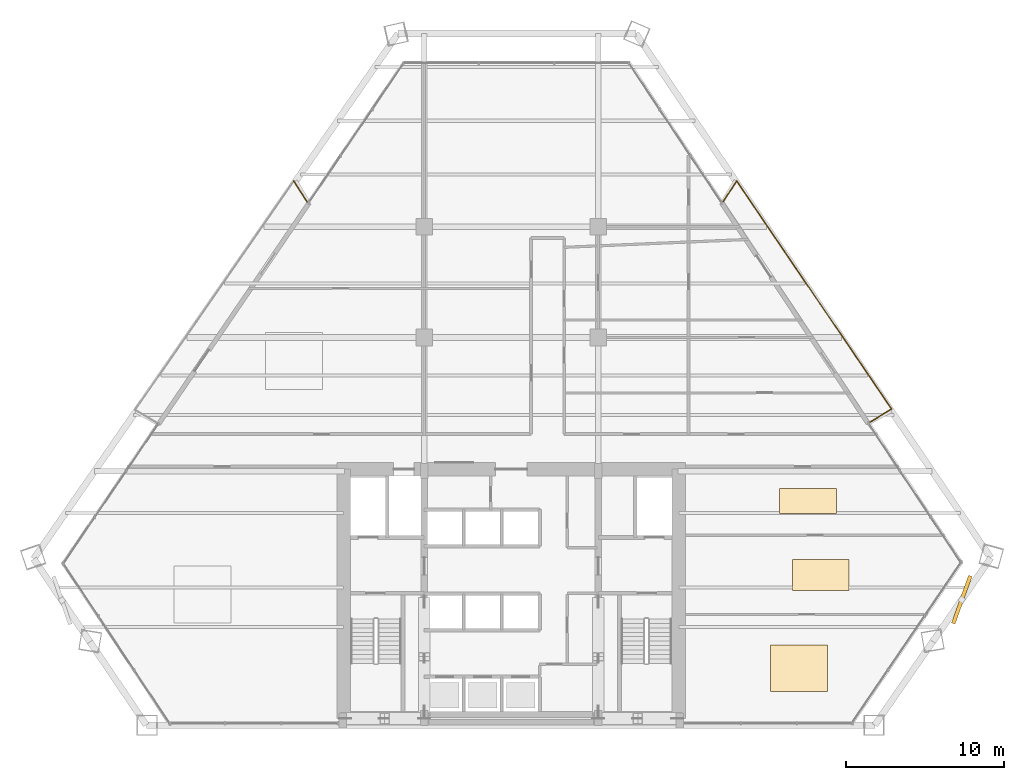
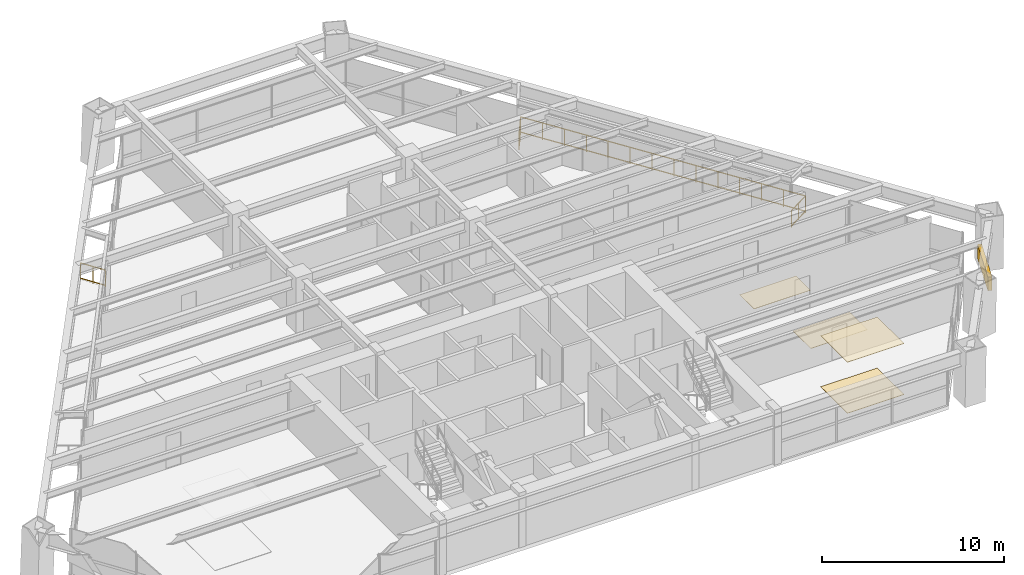
# One storey, part 14 of 15: 4 coverings, 4 railings, 1 shading device.
"""IFC4 building model written with IfcOpenShell, lengths in metres."""

from ifc_helpers import new_model, si_unit, direction, frame, origin, origin_2d, place, context, subcontext, project, spatial, rectangle, extrude, source, transform, mapped, material, layer, layer_set, type_object, type_shapes, element, save


model = new_model("IFC4")

# Units and contexts
model_context = context("Model", 3, precision=1e-05, world=origin(), true_north=direction((0.0, 1.0)))
body_context = subcontext(model_context, "Body", "Model", "MODEL_VIEW")
ifc_project = project(units=[si_unit("LENGTHUNIT", "METRE"), si_unit("AREAUNIT", "SQUARE_METRE"), si_unit("VOLUMEUNIT", "CUBIC_METRE"), si_unit("PLANEANGLEUNIT", "RADIAN"), si_unit("MASSUNIT", "GRAM", prefix="KILO")], contexts=[model_context])

# Site, building, storey
site_placement = place(None, origin())
site = spatial("IfcSite", under=ifc_project, at=site_placement, CompositionType="ELEMENT")
building_placement = place(site_placement, origin())
building = spatial("IfcBuilding", under=site, at=building_placement, Name="Varnakhor Terracotta Tower", CompositionType="ELEMENT")
storey_placement = place(building_placement, frame((0.0, 0.0, 57.10009765625)))
storey = spatial("IfcBuildingStorey", under=building, at=storey_placement, Name="L13", CompositionType="ELEMENT", Elevation=57.10009765625)

# Railings
ifc_material_1 = material(Name="Stainless Steel & Laminated Glass Guardrail", Category="steel")
railing_type = type_object("IfcRailingType", Name="RLG-LOGGIA-GUARD-1150", PredefinedType="GUARDRAIL", material=ifc_material_1)
railing_1_placement = place(storey_placement, frame((13.40234375, 33.093017578125, 0.0)))
element("IfcRailing", 1, at=railing_1_placement, inside=storey, type_object=railing_type, Name="L13 E Loggia Glass Guard 1", PredefinedType="GUARDRAIL", context=body_context, shape_type="SweptSolid", body=[
    extrude(rectangle(XDim=0.048095703125, YDim=0.048095703125, at=origin_2d()), frame((0.0, 0.0, 1.1259765625), z_axis=(0.545729740606, 0.837961246251, 0.0), x_axis=(-0.837961246251, 0.545729740606, 0.0)), (0.0, 0.0, 1.0), 1.550537109375),
    extrude(rectangle(XDim=0.048095703125, YDim=0.048095703125, at=origin_2d()), frame((0.0, 0.0, 0.10009765625), z_axis=(0.545729740606, 0.837961246251, 0.0), x_axis=(-0.837961246251, 0.545729740606, 0.0)), (0.0, 0.0, 1.0), 1.550537109375),
    extrude(rectangle(XDim=0.0419921875, YDim=0.0419921875, at=origin_2d()), origin(), (0.0, 0.0, 1.0), 1.101806640625),
    extrude(rectangle(XDim=0.0419921875, YDim=0.0419921875, at=origin_2d()), frame((0.423095703125, 0.649658203125, 0.0)), (0.0, 0.0, 1.0), 1.101806640625),
    extrude(rectangle(XDim=0.0419921875, YDim=0.0419921875, at=origin_2d()), frame((0.84619140625, 1.29931640625, 0.0)), (0.0, 0.0, 1.0), 1.101806640625),
])
railing_2_placement = place(storey_placement, frame((14.24853515625, 34.392333984375, 0.0)))
element("IfcRailing", 2, at=railing_2_placement, inside=storey, type_object=railing_type, Name="L13 E Loggia Glass Guard 2", PredefinedType="GUARDRAIL", context=body_context, shape_type="SweptSolid", body=[
    extrude(rectangle(XDim=0.048095703125, YDim=0.048095703125, at=origin_2d()), frame((0.0, 0.0, 1.1259765625), z_axis=(0.561707347834, -0.827335999089, 0.0), x_axis=(0.827335999089, 0.561707347834, 0.0)), (0.0, 0.0, 1.0), 17.422607421875),
    extrude(rectangle(XDim=0.048095703125, YDim=0.048095703125, at=origin_2d()), frame((0.0, 0.0, 0.10009765625), z_axis=(0.561707347834, -0.827335999089, 0.0), x_axis=(0.827335999089, 0.561707347834, 0.0)), (0.0, 0.0, 1.0), 17.422607421875),
    extrude(rectangle(XDim=0.0419921875, YDim=0.0419921875, at=origin_2d()), origin(), (0.0, 0.0, 1.0), 1.101806640625),
    extrude(rectangle(XDim=0.0419921875, YDim=0.0419921875, at=origin_2d()), frame((0.752685546875, -1.10888671875, 0.0)), (0.0, 0.0, 1.0), 1.101806640625),
    extrude(rectangle(XDim=0.0419921875, YDim=0.0419921875, at=origin_2d()), frame((1.505615234375, -2.217529296875, 0.0)), (0.0, 0.0, 1.0), 1.101806640625),
    extrude(rectangle(XDim=0.0419921875, YDim=0.0419921875, at=origin_2d()), frame((2.25830078125, -3.326416015625, 0.0)), (0.0, 0.0, 1.0), 1.101806640625),
    extrude(rectangle(XDim=0.0419921875, YDim=0.0419921875, at=origin_2d()), frame((3.01123046875, -4.43505859375, 0.0)), (0.0, 0.0, 1.0), 1.101806640625),
    extrude(rectangle(XDim=0.0419921875, YDim=0.0419921875, at=origin_2d()), frame((3.763916015625, -5.5439453125, 0.0)), (0.0, 0.0, 1.0), 1.101806640625),
    extrude(rectangle(XDim=0.0419921875, YDim=0.0419921875, at=origin_2d()), frame((4.516845703125, -6.65283203125, 0.0)), (0.0, 0.0, 1.0), 1.101806640625),
    extrude(rectangle(XDim=0.0419921875, YDim=0.0419921875, at=origin_2d()), frame((5.26953125, -7.761474609375, 0.0)), (0.0, 0.0, 1.0), 1.101806640625),
    extrude(rectangle(XDim=0.0419921875, YDim=0.0419921875, at=origin_2d()), frame((6.0224609375, -8.870361328125, 0.0)), (0.0, 0.0, 1.0), 1.101806640625),
    extrude(rectangle(XDim=0.0419921875, YDim=0.0419921875, at=origin_2d()), frame((6.775146484375, -9.979248046875, 0.0)), (0.0, 0.0, 1.0), 1.101806640625),
    extrude(rectangle(XDim=0.0419921875, YDim=0.0419921875, at=origin_2d()), frame((7.528076171875, -11.087890625, 0.0)), (0.0, 0.0, 1.0), 1.101806640625),
    extrude(rectangle(XDim=0.0419921875, YDim=0.0419921875, at=origin_2d()), frame((8.28076171875, -12.19677734375, 0.0)), (0.0, 0.0, 1.0), 1.101806640625),
    extrude(rectangle(XDim=0.0419921875, YDim=0.0419921875, at=origin_2d()), frame((9.03369140625, -13.305419921875, 0.0)), (0.0, 0.0, 1.0), 1.101806640625),
    extrude(rectangle(XDim=0.0419921875, YDim=0.0419921875, at=origin_2d()), frame((9.786376953125, -14.414306640625, 0.0)), (0.0, 0.0, 1.0), 1.101806640625),
])
railing_3_placement = place(storey_placement, frame((24.034912109375, 19.97802734375, 0.0)))
element("IfcRailing", 3, at=railing_3_placement, inside=storey, type_object=railing_type, Name="L13 E Loggia Glass Guard 3", PredefinedType="GUARDRAIL", context=body_context, shape_type="SweptSolid", body=[
    extrude(rectangle(XDim=0.048095703125, YDim=0.048095703125, at=origin_2d()), frame((0.0, 0.0, 1.1259765625), z_axis=(-0.854287266278, -0.519801179948, 0.0), x_axis=(0.519801179948, -0.854287266278, 0.0)), (0.0, 0.0, 1.0), 1.593994140625),
    extrude(rectangle(XDim=0.048095703125, YDim=0.048095703125, at=origin_2d()), frame((0.0, 0.0, 0.10009765625), z_axis=(-0.854287266278, -0.519801179948, 0.0), x_axis=(0.519801179948, -0.854287266278, 0.0)), (0.0, 0.0, 1.0), 1.593994140625),
    extrude(rectangle(XDim=0.0419921875, YDim=0.0419921875, at=origin_2d()), origin(), (0.0, 0.0, 1.0), 1.101806640625),
    extrude(rectangle(XDim=0.0419921875, YDim=0.0419921875, at=origin_2d()), frame((-0.680908203125, -0.414306640625, 0.0)), (0.0, 0.0, 1.0), 1.101806640625),
    extrude(rectangle(XDim=0.0419921875, YDim=0.0419921875, at=origin_2d()), frame((-1.36181640625, -0.82861328125, 0.0)), (0.0, 0.0, 1.0), 1.101806640625),
])
railing_4_placement = place(storey_placement, frame((-13.745361328125, 34.377197265625, 0.0)))
element("IfcRailing", 4, at=railing_4_placement, inside=storey, type_object=railing_type, Name="L13 W Loggia Glass Guard 3", PredefinedType="GUARDRAIL", context=body_context, shape_type="SweptSolid", body=[
    extrude(rectangle(XDim=0.048095703125, YDim=0.048095703125, at=origin_2d()), frame((0.0, 0.0, 1.1259765625), z_axis=(0.546282183042, -0.837601203731, 0.0), x_axis=(0.837601203731, 0.546282183042, 0.0)), (0.0, 0.0, 1.0), 1.55126953125),
    extrude(rectangle(XDim=0.048095703125, YDim=0.048095703125, at=origin_2d()), frame((0.0, 0.0, 0.10009765625), z_axis=(0.546282183042, -0.837601203731, 0.0), x_axis=(0.837601203731, 0.546282183042, 0.0)), (0.0, 0.0, 1.0), 1.55126953125),
    extrude(rectangle(XDim=0.0419921875, YDim=0.0419921875, at=origin_2d()), origin(), (0.0, 0.0, 1.0), 1.101806640625),
    extrude(rectangle(XDim=0.0419921875, YDim=0.0419921875, at=origin_2d()), frame((0.423828125, -0.649658203125, 0.0)), (0.0, 0.0, 1.0), 1.101806640625),
    extrude(rectangle(XDim=0.0419921875, YDim=0.0419921875, at=origin_2d()), frame((0.847412109375, -1.29931640625, 0.0)), (0.0, 0.0, 1.0), 1.101806640625),
])

# Shading device
ifc_material_2 = material(Name="Extruded Architectural Terracotta Screen", Category="masonry")
shading_device_type = type_object("IfcShadingDeviceType", Name="TERRACOTTA SOLAR SCREEN E", PredefinedType="USERDEFINED", material=ifc_material_2)
shared_shape_1 = source(origin(), body_context, "Body", "SweptSolid", [
    extrude(rectangle(XDim=3.199951171875, YDim=0.239990234375, at=origin_2d()), origin(), (0.0, 0.0, 1.0), 0.919921875),
])
type_shapes(shading_device_type, [shared_shape_1])
shading_device_placement = place(storey_placement, frame((28.476318359375, 7.930419921875, 1.617919921875), z_axis=(0.0, 0.0, 1.0), x_axis=(0.337785301747, 0.941223188156, 0.0)))
element("IfcShadingDevice", 5, at=shading_device_placement, inside=storey, type_object=shading_device_type, Name="L13 E Terracotta Solar Screen", ObjectType="SCREEN", PredefinedType="USERDEFINED", context=body_context, shape_type="MappedRepresentation", body=[
    mapped(shared_shape_1, transform((0.0, 0.0, 0.0), scale=1.0)),
])

# Coverings
ifc_material_3 = material(Name="Honed Riyadh Limestone Flooring", Category="masonry")
ifc_layer_1 = layer(ifc_material_3, 0.030029296875, Name="Honed Riyadh Limestone Flooring")
ifc_layer_set_1 = layer_set([ifc_layer_1], Name="Honed Riyadh Limestone Flooring")
covering_type_1 = type_object("IfcCoveringType", Name="COV-FLOOR-LIMESTONE", PredefinedType="FLOORING", material=ifc_layer_set_1)
shared_shape_2 = source(origin(), body_context, "Body", "SweptSolid", [
    extrude(rectangle(XDim=3.60009765625, YDim=2.93896484375, at=origin_2d()), origin(), (0.0, 0.0, 1.0), 0.02001953125),
])
covering_1_placement = place(storey_placement, frame((18.197021484375, 3.60205078125, 0.0), z_axis=(0.0, 0.0, 1.0), x_axis=(1.0, 0.0, 0.0)))
element("IfcCovering", 6, at=covering_1_placement, inside=storey, type_object=covering_type_1, Name="L13 Honed Stone Flooring 1", PredefinedType="FLOORING", context=body_context, shape_type="MappedRepresentation", body=[
    mapped(shared_shape_2, transform((0.0, 0.0, 0.0), scale=1.0)),
])
ifc_material_4 = material(Name="Perforated Acoustic Mineral-Fibre Ceiling", Category="gypsum")
ifc_layer_2 = layer(ifc_material_4, 0.02490234375, Name="Perforated Acoustic Mineral-Fibre Ceiling")
ifc_layer_set_2 = layer_set([ifc_layer_2], Name="Perforated Acoustic Mineral-Fibre Ceiling")
covering_type_2 = type_object("IfcCoveringType", Name="COV-CEILING-ACOUSTIC", PredefinedType="CEILING", material=ifc_layer_set_2)
shared_shape_3 = source(origin(), body_context, "Body", "SweptSolid", [
    extrude(rectangle(XDim=3.60009765625, YDim=2.93896484375, at=origin_2d()), origin(), (0.0, 0.0, 1.0), 0.02392578125),
])
covering_2_placement = place(storey_placement, frame((18.197021484375, 3.60205078125, 3.426025390625), z_axis=(0.0, 0.0, 1.0), x_axis=(1.0, 0.0, 0.0)))
element("IfcCovering", 7, at=covering_2_placement, inside=storey, type_object=covering_type_2, Name="L13 Acoustic Ceiling Panel 1", PredefinedType="CEILING", context=body_context, shape_type="MappedRepresentation", body=[
    mapped(shared_shape_3, transform((0.0, 0.0, 0.0), scale=1.0)),
])
shared_shape_4 = source(origin(), body_context, "Body", "SweptSolid", [
    extrude(rectangle(XDim=3.60009765625, YDim=1.950927734375, at=origin_2d()), origin(), (0.0, 0.0, 1.0), 0.02001953125),
])
covering_3_placement = place(storey_placement, frame((19.56103515625, 9.5, 0.0), z_axis=(0.0, 0.0, 1.0), x_axis=(1.0, 0.0, 0.0)))
element("IfcCovering", 8, at=covering_3_placement, inside=storey, type_object=covering_type_1, Name="L13 Honed Stone Flooring 3", PredefinedType="FLOORING", context=body_context, shape_type="MappedRepresentation", body=[
    mapped(shared_shape_4, transform((0.0, 0.0, 0.0), scale=1.0)),
])
shared_shape_5 = source(origin(), body_context, "Body", "SweptSolid", [
    extrude(rectangle(XDim=3.60009765625, YDim=1.58203125, at=origin_2d()), origin(), (0.0, 0.0, 1.0), 0.02001953125),
])
covering_4_placement = place(storey_placement, frame((18.7490234375, 14.1640625, 0.0), z_axis=(0.0, 0.0, 1.0), x_axis=(1.0, 0.0, 0.0)))
element("IfcCovering", 9, at=covering_4_placement, inside=storey, type_object=covering_type_1, Name="L13 Honed Stone Flooring 4", PredefinedType="FLOORING", context=body_context, shape_type="MappedRepresentation", body=[
    mapped(shared_shape_5, transform((0.0, 0.0, 0.0), scale=1.0)),
])

save(model, "model.ifc")
